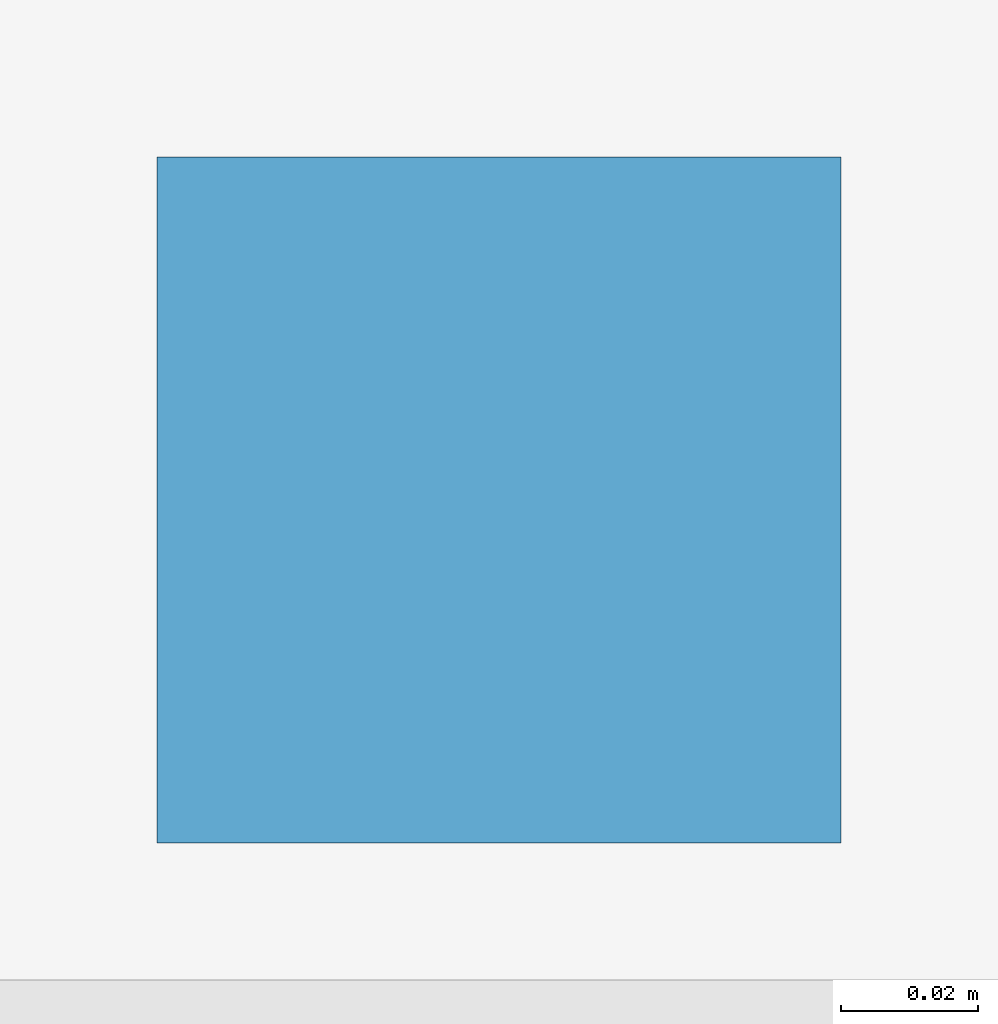
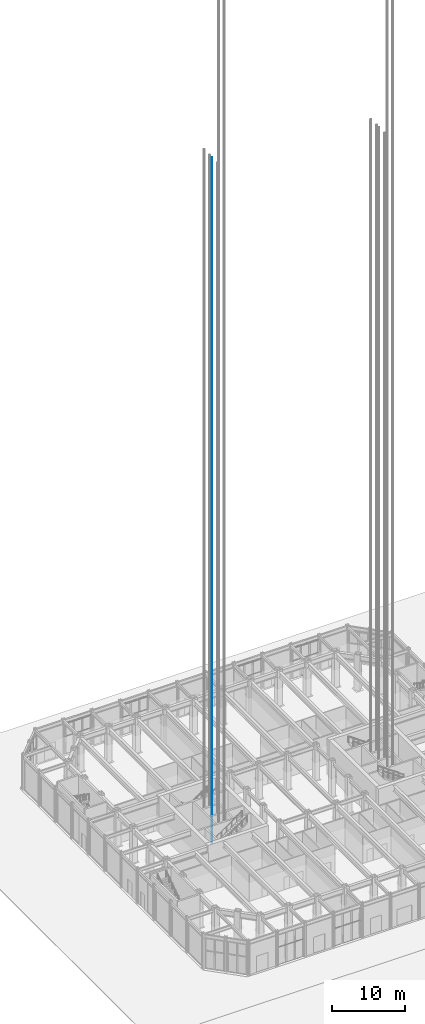
# One storey, part 27 of 39: 1 discrete accessory.
"""IFC4 building model written with IfcOpenShell, lengths in metres."""

from ifc_helpers import new_model, si_unit, direction, frame, origin, place, context, subcontext, project, spatial, polyline, outline, extrude, element, save


model = new_model("IFC4")

# Units and contexts
model_context = context("Model", 3, precision=1e-05, world=origin(), true_north=direction((0.0, 1.0)))
body_context = subcontext(model_context, "Body", "Model", "MODEL_VIEW")
ifc_project = project(units=[si_unit("LENGTHUNIT", "METRE"), si_unit("AREAUNIT", "SQUARE_METRE"), si_unit("VOLUMEUNIT", "CUBIC_METRE"), si_unit("PLANEANGLEUNIT", "RADIAN"), si_unit("MASSUNIT", "GRAM", prefix="KILO")], contexts=[model_context])

# Site, building, storey
site_placement = place(None, origin())
site = spatial("IfcSite", under=ifc_project, at=site_placement, CompositionType="ELEMENT")
building_placement = place(site_placement, origin())
building = spatial("IfcBuilding", under=site, at=building_placement, Name="Msasa Ring Tower", CompositionType="ELEMENT")
storey_placement = place(building_placement, origin())
storey = spatial("IfcBuildingStorey", under=building, at=storey_placement, Name="L00", CompositionType="ELEMENT", Elevation=0.0)

# Discrete accessory
discrete_accessory_placement = place(storey_placement, frame((0.0, 0.0, 0.050048828125)))
element("IfcDiscreteAccessory", 1, at=discrete_accessory_placement, inside=storey, Name="Lift guide rail 2 PL-X1", ObjectType="LIFT GUIDE RAIL", PredefinedType="USERDEFINED", context=body_context, shape_type="SweptSolid", body=[
    extrude(outline(polyline([(-13.27490234375, 0.594970703125), (-13.175048828125, 0.594970703125), (-13.175048828125, 0.695068359375), (-13.27490234375, 0.695068359375), (-13.27490234375, 0.594970703125)])), origin(), (0.0, 0.0, 1.0), 114.800048828125),
])

save(model, "model.ifc")
